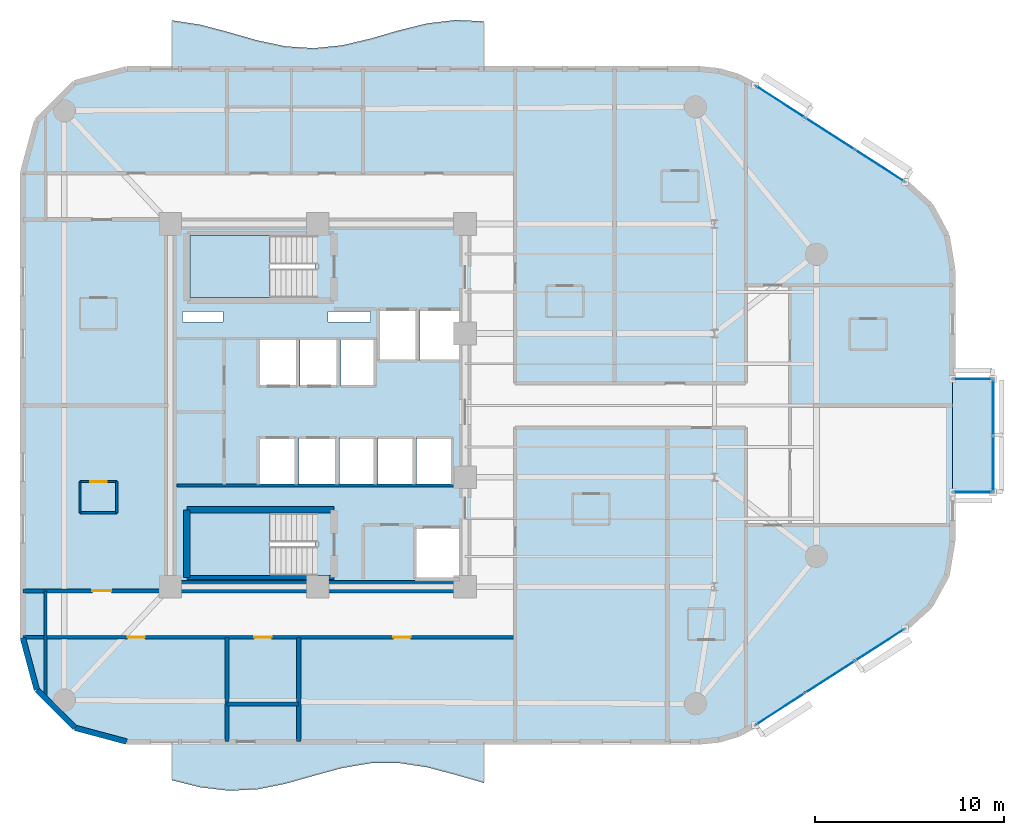
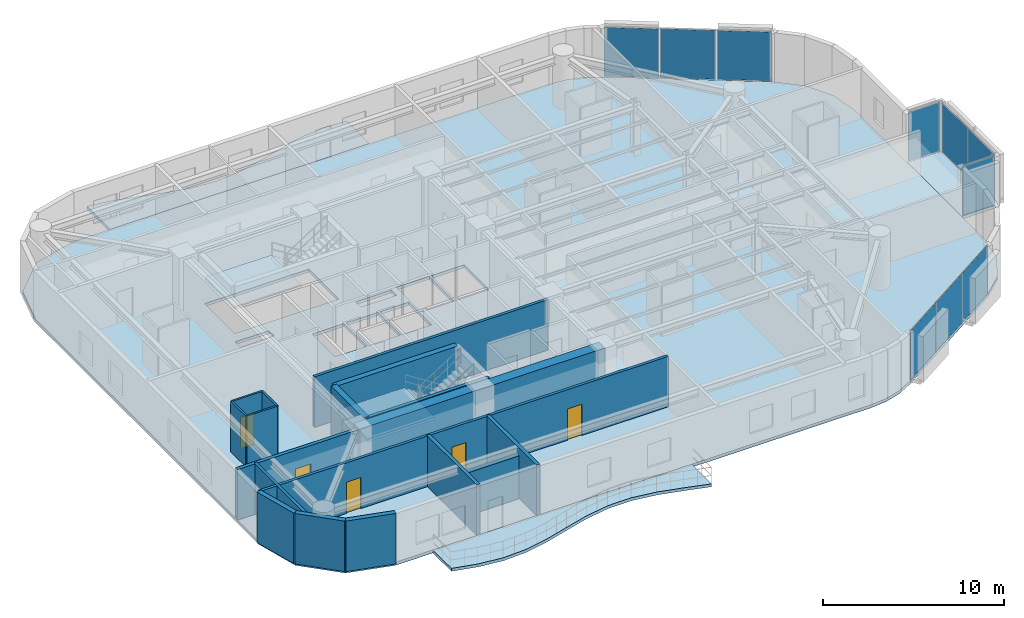
# One storey, part 10 of 16: 18 walls, 10 plates, 6 slabs, 5 doors, 5 openings, 7 elements without a shape of their own.
"""IFC4 building model written with IfcOpenShell, lengths in metres."""

from ifc_helpers import new_model, si_unit, direction, frame, frame_2d, origin, origin_2d, place, context, subcontext, project, spatial, polyline, rectangle, outline, extrude, material, layer, layer_set, type_object, element, fill, aggregate, save


model = new_model("IFC4")

# Units and contexts
model_context = context("Model", 3, precision=1e-05, world=origin(), true_north=direction((0.0, 1.0)))
body_context = subcontext(model_context, "Body", "Model", "MODEL_VIEW")
ifc_project = project(units=[si_unit("LENGTHUNIT", "METRE"), si_unit("AREAUNIT", "SQUARE_METRE"), si_unit("VOLUMEUNIT", "CUBIC_METRE"), si_unit("PLANEANGLEUNIT", "RADIAN"), si_unit("MASSUNIT", "GRAM", prefix="KILO")], contexts=[model_context])

# Site, building, storey
site_placement = place(None, origin())
site = spatial("IfcSite", under=ifc_project, at=site_placement, CompositionType="ELEMENT")
building_placement = place(site_placement, origin())
building = spatial("IfcBuilding", under=site, at=building_placement, Name="An Khanh Terracotta Commons", CompositionType="ELEMENT")
storey_placement = place(building_placement, frame((0.0, 0.0, 151.0)))
storey = spatial("IfcBuildingStorey", under=building, at=storey_placement, Name="L39", CompositionType="ELEMENT", Elevation=151.0)

# Curtain wall, plates
ifc_material_1 = material(Name="Anodised Aluminium 6063-T6", Category="aluminium")
ifc_layer_1 = layer(ifc_material_1, 0.2099609375, Name="Anodised Aluminium 6063-T6")
ifc_layer_set_1 = layer_set([ifc_layer_1], Name="Anodised Aluminium 6063-T6")
curtain_wall_type_1 = type_object("IfcCurtainWallType", Name="CW-SYS-03", PredefinedType="USERDEFINED", material=ifc_layer_set_1)
curtain_wall_1_placement = place(storey_placement, origin())
curtain_wall_1 = element("IfcCurtainWall", 1, at=curtain_wall_1_placement, inside=storey, type_object=curtain_wall_type_1, Name="L39 CW-03 Unitised Curtain Wall CW-L39-08", ObjectType="UNITISED CURTAIN WALL", PredefinedType="USERDEFINED")
ifc_material_2 = material(Name="Acoustic Laminated Low-E Glazing", Category="glass")
ifc_layer_2 = layer(ifc_material_2, 0.035888671875, Name="Acoustic Laminated Low-E Glazing")
ifc_layer_set_2 = layer_set([ifc_layer_2], Name="Acoustic Laminated Low-E Glazing")
plate_type_1 = type_object("IfcPlateType", Name="CWP-IGU-36", PredefinedType="CURTAIN_PANEL", material=ifc_layer_set_2)
plate_1_placement = place(storey_placement, frame((53.894287109375, 7.935546875, 0.0498046875), z_axis=(0.0, 0.0, 1.0), x_axis=(0.840702081986, 0.541497931062, 0.0)))
plate_1 = element("IfcPlate", 2, at=plate_1_placement, type_object=plate_type_1, Name="CW-03 panel 1.1", PredefinedType="CURTAIN_PANEL", context=body_context, shape_type="SweptSolid", body=[
    extrude(rectangle(XDim=3.034423828125, YDim=0.035888671875, at=origin_2d()), origin(), (0.0, 0.0, 1.0), 3.300048828125),
])
plate_2_placement = place(storey_placement, frame((56.51904296875, 9.6259765625, 0.0498046875), z_axis=(0.0, 0.0, 1.0), x_axis=(0.840702081986, 0.541497931062, 0.0)))
plate_2 = element("IfcPlate", 3, at=plate_2_placement, type_object=plate_type_1, Name="CW-03 panel 2.1", PredefinedType="CURTAIN_PANEL", context=body_context, shape_type="SweptSolid", body=[
    extrude(rectangle(XDim=3.0693359375, YDim=0.035888671875, at=origin_2d()), origin(), (0.0, 0.0, 1.0), 3.300048828125),
])
plate_3_placement = place(storey_placement, frame((59.1435546875, 11.31640625, 0.0498046875), z_axis=(0.0, 0.0, 1.0), x_axis=(0.840702081986, 0.541497931062, 0.0)))
plate_3 = element("IfcPlate", 4, at=plate_3_placement, type_object=plate_type_1, Name="CW-03 panel 3.1", PredefinedType="CURTAIN_PANEL", context=body_context, shape_type="SweptSolid", body=[
    extrude(rectangle(XDim=3.034423828125, YDim=0.035888671875, at=origin_2d()), origin(), (0.0, 0.0, 1.0), 3.300048828125),
])
aggregate(curtain_wall_1, [plate_1, plate_2, plate_3])

curtain_wall_2_placement = place(storey_placement, origin())
curtain_wall_2 = element("IfcCurtainWall", 5, at=curtain_wall_2_placement, inside=storey, type_object=curtain_wall_type_1, Name="L39 CW-03 Unitised Curtain Wall CW-L39-16", ObjectType="UNITISED CURTAIN WALL", PredefinedType="USERDEFINED")
plate_4_placement = place(storey_placement, frame((59.1435546875, 36.68359375, 0.0498046875), z_axis=(0.0, 0.0, 1.0), x_axis=(-0.840702081986, 0.541497931062, 0.0)))
plate_4 = element("IfcPlate", 6, at=plate_4_placement, type_object=plate_type_1, Name="CW-03 panel 1.1", PredefinedType="CURTAIN_PANEL", context=body_context, shape_type="SweptSolid", body=[
    extrude(rectangle(XDim=3.034423828125, YDim=0.035888671875, at=origin_2d()), origin(), (0.0, 0.0, 1.0), 3.300048828125),
])
plate_5_placement = place(storey_placement, frame((56.51904296875, 38.3740234375, 0.0498046875), z_axis=(0.0, 0.0, 1.0), x_axis=(-0.840702081986, 0.541497931062, 0.0)))
plate_5 = element("IfcPlate", 7, at=plate_5_placement, type_object=plate_type_1, Name="CW-03 panel 2.1", PredefinedType="CURTAIN_PANEL", context=body_context, shape_type="SweptSolid", body=[
    extrude(rectangle(XDim=3.0693359375, YDim=0.035888671875, at=origin_2d()), origin(), (0.0, 0.0, 1.0), 3.300048828125),
])
plate_6_placement = place(storey_placement, frame((53.894287109375, 40.064453125, 0.0498046875), z_axis=(0.0, 0.0, 1.0), x_axis=(-0.840702081986, 0.541497931062, 0.0)))
plate_6 = element("IfcPlate", 8, at=plate_6_placement, type_object=plate_type_1, Name="CW-03 panel 3.1", PredefinedType="CURTAIN_PANEL", context=body_context, shape_type="SweptSolid", body=[
    extrude(rectangle(XDim=3.034423828125, YDim=0.035888671875, at=origin_2d()), origin(), (0.0, 0.0, 1.0), 3.300048828125),
])
aggregate(curtain_wall_2, [plate_4, plate_5, plate_6])

ifc_layer_3 = layer(ifc_material_1, 0.239990234375, Name="Anodised Aluminium 6063-T6")
ifc_layer_set_3 = layer_set([ifc_layer_3], Name="Anodised Aluminium 6063-T6")
curtain_wall_type_2 = type_object("IfcCurtainWallType", Name="CW-SYS-04", PredefinedType="USERDEFINED", material=ifc_layer_set_3)
curtain_wall_3_placement = place(storey_placement, origin())
curtain_wall_3 = element("IfcCurtainWall", 9, at=curtain_wall_3_placement, inside=storey, type_object=curtain_wall_type_2, Name="L39 CW-04 Unitised Curtain Wall CW-L39-EBOX-1", ObjectType="UNITISED CURTAIN WALL", PredefinedType="USERDEFINED")
ifc_material_3 = material(Name="Triple-Silver Sky-Lobby Glazing", Category="glass")
ifc_layer_4 = layer(ifc_material_3, 0.0400390625, Name="Triple-Silver Sky-Lobby Glazing")
ifc_layer_set_4 = layer_set([ifc_layer_4], Name="Triple-Silver Sky-Lobby Glazing")
plate_type_2 = type_object("IfcPlateType", Name="CWP-IGU-40", PredefinedType="CURTAIN_PANEL", material=ifc_layer_set_4)
plate_7_placement = place(storey_placement, frame((65.14990234375, 20.916259765625, 0.06005859375), z_axis=(0.0, 0.0, 1.0), x_axis=(0.0, 1.0, 0.0)))
plate_7 = element("IfcPlate", 10, at=plate_7_placement, type_object=plate_type_2, Name="CW-04 panel 1.1", PredefinedType="CURTAIN_PANEL", context=body_context, shape_type="SweptSolid", body=[
    extrude(rectangle(XDim=2.902587890625, YDim=0.0400390625, at=origin_2d()), origin(), (0.0, 0.0, 1.0), 3.280029296875),
])
plate_8_placement = place(storey_placement, frame((65.14990234375, 23.8837890625, 0.06005859375), z_axis=(0.0, 0.0, 1.0), x_axis=(0.0, 1.0, 0.0)))
plate_8 = element("IfcPlate", 11, at=plate_8_placement, type_object=plate_type_2, Name="CW-04 panel 2.1", PredefinedType="CURTAIN_PANEL", context=body_context, shape_type="SweptSolid", body=[
    extrude(rectangle(XDim=2.902587890625, YDim=0.0400390625, at=origin_2d()), origin(), (0.0, 0.0, 1.0), 3.280029296875),
])
aggregate(curtain_wall_3, [plate_7, plate_8])

# Curtain wall, plate
curtain_wall_4_placement = place(storey_placement, origin())
curtain_wall_4 = element("IfcCurtainWall", 12, at=curtain_wall_4_placement, inside=storey, type_object=curtain_wall_type_2, Name="L39 CW-04 Unitised Curtain Wall CW-L39-EBOX-2", ObjectType="UNITISED CURTAIN WALL", PredefinedType="USERDEFINED")
plate_9_placement = place(storey_placement, frame((64.074951171875, 19.39990234375, 0.06005859375), z_axis=(0.0, 0.0, 1.0), x_axis=(1.0, 0.0, 0.0)))
plate_9 = element("IfcPlate", 13, at=plate_9_placement, type_object=plate_type_2, Name="CW-04 panel 1.1", PredefinedType="CURTAIN_PANEL", context=body_context, shape_type="SweptSolid", body=[
    extrude(rectangle(XDim=2.02001953125, YDim=0.0400390625, at=origin_2d()), origin(), (0.0, 0.0, 1.0), 3.280029296875),
])
aggregate(curtain_wall_4, [plate_9])

curtain_wall_5_placement = place(storey_placement, origin())
curtain_wall_5 = element("IfcCurtainWall", 14, at=curtain_wall_5_placement, inside=storey, type_object=curtain_wall_type_2, Name="L39 CW-04 Unitised Curtain Wall CW-L39-EBOX-3", ObjectType="UNITISED CURTAIN WALL", PredefinedType="USERDEFINED")
plate_10_placement = place(storey_placement, frame((64.074951171875, 25.39990234375, 0.06005859375), z_axis=(0.0, 0.0, 1.0), x_axis=(-1.0, 0.0, 0.0)))
plate_10 = element("IfcPlate", 15, at=plate_10_placement, type_object=plate_type_2, Name="CW-04 panel 1.1", PredefinedType="CURTAIN_PANEL", context=body_context, shape_type="SweptSolid", body=[
    extrude(rectangle(XDim=2.02001953125, YDim=0.0400390625, at=origin_2d()), origin(), (0.0, 0.0, 1.0), 3.280029296875),
])
aggregate(curtain_wall_5, [plate_10])

# Slabs
ifc_material_4 = material(Name="Concrete C40/50", Category="concrete")
ifc_layer_5 = layer(ifc_material_4, 0.199951171875, Name="Concrete C40/50")
ifc_layer_set_5 = layer_set([ifc_layer_5], Name="Concrete C40/50")
slab_type_1 = type_object("IfcSlabType", Name="SLAB-BALC-200", PredefinedType="FLOOR", material=ifc_layer_set_5)
slab_1_placement = place(storey_placement, frame((0.0, 0.0, -0.199951171875)))
element("IfcSlab", 16, at=slab_1_placement, inside=storey, type_object=slab_type_1, Name="L39 S Sinusoidal Wave Balcony Slab", PredefinedType="FLOOR", context=body_context, shape_type="SweptSolid", body=[
    extrude(outline(polyline([(21.699951171875, 6.199951171875), (21.699951171875, 4.156005859375), (23.199951171875, 3.785888671875), (24.699951171875, 3.60595703125), (26.199951171875, 3.677001953125), (27.699951171875, 3.97509765625), (29.199951171875, 4.39892578125), (30.699951171875, 4.806884765625), (32.199951171875, 5.06005859375), (33.699951171875, 5.073974609375), (35.199951171875, 4.844970703125), (36.699951171875, 4.447998046875), (38.199951171875, 4.01806640625), (38.199951171875, 6.199951171875), (21.699951171875, 6.199951171875)])), origin(), (0.0, 0.0, 1.0), 0.199951171875),
])
slab_2_placement = place(storey_placement, frame((0.0, 0.0, -0.199951171875)))
element("IfcSlab", 17, at=slab_2_placement, inside=storey, type_object=slab_type_1, Name="L39 N Sinusoidal Wave Balcony Slab", PredefinedType="FLOOR", context=body_context, shape_type="SweptSolid", body=[
    extrude(outline(polyline([(38.199951171875, 41.800048828125), (38.199951171875, 44.322998046875), (36.699951171875, 44.39404296875), (35.199951171875, 44.214111328125), (33.699951171875, 43.843994140625), (32.199951171875, 43.408935546875), (30.699951171875, 43.054931640625), (29.199951171875, 42.902099609375), (27.699951171875, 43.0), (26.199951171875, 43.318115234375), (24.699951171875, 43.748046875), (23.199951171875, 44.14501953125), (21.699951171875, 44.3740234375), (21.699951171875, 41.800048828125), (38.199951171875, 41.800048828125)])), origin(), (0.0, 0.0, 1.0), 0.199951171875),
])

# Stair, slab
ifc_material_5 = material(Name="Precast concrete C40/50", Category="concrete")
stair_type = type_object("IfcStairType", Name="STAIR-CORE-1550", PredefinedType="HALF_TURN_STAIR", material=ifc_material_5)
stair_1_placement = place(storey_placement, origin())
stair_1 = element("IfcStair", 18, at=stair_1_placement, inside=storey, type_object=stair_type, Name="L39 Core Smokeproof Exit Stair ST-01", PredefinedType="HALF_TURN_STAIR")
ifc_layer_6 = layer(ifc_material_4, 0.18994140625, Name="Concrete C40/50")
ifc_layer_set_6 = layer_set([ifc_layer_6], Name="Concrete C40/50")
slab_type_2 = type_object("IfcSlabType", Name="SLAB-LANDING-190", PredefinedType="LANDING", material=ifc_layer_set_6)
slab_3_placement = place(storey_placement, frame((0.0, 0.0, 1.60009765625)))
slab_3 = element("IfcSlab", 19, at=slab_3_placement, type_object=slab_type_2, Name="ST-01 landing 1", PredefinedType="LANDING", context=body_context, shape_type="SweptSolid", body=[
    extrude(outline(polyline([(26.889892578125, 33.0), (22.64990234375, 33.0), (22.64990234375, 29.699951171875), (26.889892578125, 29.699951171875), (26.889892578125, 33.0)])), origin(), (0.0, 0.0, 1.0), 0.199951171875),
])
aggregate(stair_1, [slab_3])

stair_2_placement = place(storey_placement, origin())
stair_2 = element("IfcStair", 20, at=stair_2_placement, inside=storey, type_object=stair_type, Name="L39 Core Smokeproof Exit Stair ST-02", PredefinedType="HALF_TURN_STAIR")
slab_4_placement = place(storey_placement, frame((0.0, 0.0, 1.60009765625)))
slab_4 = element("IfcSlab", 21, at=slab_4_placement, type_object=slab_type_2, Name="ST-02 landing 1", PredefinedType="LANDING", context=body_context, shape_type="SweptSolid", body=[
    extrude(outline(polyline([(26.889892578125, 18.300048828125), (22.64990234375, 18.300048828125), (22.64990234375, 15.0), (26.889892578125, 15.0), (26.889892578125, 18.300048828125)])), origin(), (0.0, 0.0, 1.0), 0.199951171875),
])
aggregate(stair_2, [slab_4])

# Slabs
ifc_layer_7 = layer(ifc_material_4, 0.199951171875, Name="Concrete C40/50")
ifc_layer_set_7 = layer_set([ifc_layer_7], Name="Concrete C40/50")
slab_type_3 = type_object("IfcSlabType", Name="SLAB-TYP-200", PredefinedType="FLOOR", material=ifc_layer_set_7)
slab_5_placement = place(storey_placement, frame((0.0, 0.0, -0.199951171875)))
element("IfcSlab", 22, at=slab_5_placement, inside=storey, type_object=slab_type_3, Name="L39 Structural Floor Slab", PredefinedType="FLOOR", context=body_context, shape_type="SweptSolid", body=[
    extrude(outline(polyline([(13.800048828125, 11.699951171875), (14.537109375, 8.949951171875), (16.550048828125, 6.93701171875), (19.300048828125, 6.199951171875), (49.58203125, 6.199951171875), (50.625, 6.300048828125), (51.6298828125, 6.594970703125), (52.56005859375, 7.075927734375), (60.47802734375, 12.176025390625), (61.825927734375, 13.403076171875), (62.697998046875, 15.0029296875), (63.0, 16.800048828125), (63.0, 31.199951171875), (62.697998046875, 32.9970703125), (61.825927734375, 34.596923828125), (60.47802734375, 35.823974609375), (52.56005859375, 40.924072265625), (51.6298828125, 41.405029296875), (50.625, 41.699951171875), (49.58203125, 41.800048828125), (19.300048828125, 41.800048828125), (16.550048828125, 41.06298828125), (14.537109375, 39.050048828125), (13.800048828125, 36.300048828125), (13.800048828125, 11.699951171875)]), holes=[polyline([(22.64990234375, 29.699951171875), (29.27001953125, 29.699951171875), (29.27001953125, 33.0), (22.64990234375, 33.0), (22.64990234375, 29.699951171875)]), polyline([(22.64990234375, 15.0), (29.27001953125, 15.0), (29.27001953125, 18.300048828125), (22.64990234375, 18.300048828125), (22.64990234375, 15.0)]), polyline([(32.60009765625, 26.35009765625), (34.679931640625, 26.35009765625), (34.679931640625, 29.080078125), (32.60009765625, 29.080078125), (32.60009765625, 26.35009765625)]), polyline([(34.820068359375, 26.35009765625), (36.89990234375, 26.35009765625), (36.89990234375, 29.080078125), (34.820068359375, 29.080078125), (34.820068359375, 26.35009765625)]), polyline([(34.550048828125, 14.800048828125), (36.89990234375, 14.800048828125), (36.89990234375, 17.550048828125), (34.550048828125, 17.550048828125), (34.550048828125, 14.800048828125)]), polyline([(26.320068359375, 25.0), (28.340087890625, 25.0), (28.340087890625, 27.5), (26.320068359375, 27.5), (26.320068359375, 25.0)]), polyline([(28.47998046875, 25.0), (30.5, 25.0), (30.5, 27.5), (28.47998046875, 27.5), (28.47998046875, 25.0)]), polyline([(26.280029296875, 19.800048828125), (28.280029296875, 19.800048828125), (28.280029296875, 22.300048828125), (26.280029296875, 22.300048828125), (26.280029296875, 19.800048828125)]), polyline([(28.419921875, 19.800048828125), (30.419921875, 19.800048828125), (30.419921875, 22.300048828125), (28.419921875, 22.300048828125), (28.419921875, 19.800048828125)]), polyline([(30.639892578125, 25.0), (32.4599609375, 25.0), (32.4599609375, 27.5), (30.639892578125, 27.5), (30.639892578125, 25.0)]), polyline([(30.56005859375, 19.800048828125), (32.4599609375, 19.800048828125), (32.4599609375, 22.300048828125), (30.56005859375, 22.300048828125), (30.56005859375, 19.800048828125)]), polyline([(32.60009765625, 19.800048828125), (34.5, 19.800048828125), (34.5, 22.300048828125), (32.60009765625, 22.300048828125), (32.60009765625, 19.800048828125)]), polyline([(34.639892578125, 19.800048828125), (36.5400390625, 19.800048828125), (36.5400390625, 22.300048828125), (34.639892578125, 22.300048828125), (34.639892578125, 19.800048828125)]), polyline([(22.25, 28.419921875), (24.39990234375, 28.419921875), (24.39990234375, 28.97998046875), (22.25, 28.97998046875), (22.25, 28.419921875)]), polyline([(29.949951171875, 28.419921875), (32.199951171875, 28.419921875), (32.199951171875, 28.97998046875), (29.949951171875, 28.97998046875), (29.949951171875, 28.419921875)])]), origin(), (0.0, 0.0, 1.0), 0.199951171875),
])
slab_6_placement = place(storey_placement, frame((0.0, 0.0, -0.199951171875)))
element("IfcSlab", 23, at=slab_6_placement, inside=storey, type_object=slab_type_3, Name="L39 Shifted Social Kitchen Box Floor Slab", PredefinedType="FLOOR", context=body_context, shape_type="SweptSolid", body=[
    extrude(outline(polyline([(63.0, 19.39990234375), (65.14990234375, 19.39990234375), (65.14990234375, 25.39990234375), (63.0, 25.39990234375), (63.0, 19.39990234375)])), origin(), (0.0, 0.0, 1.0), 0.199951171875),
])

# Walls
ifc_material_6 = material(Name="Concrete C60/75", Category="concrete")
ifc_layer_8 = layer(ifc_material_6, 0.64990234375, Name="Concrete C60/75")
ifc_layer_set_8 = layer_set([ifc_layer_8], Name="Concrete C60/75")
wall_type_1 = type_object("IfcWallType", Name="WALL-CORE-650", PredefinedType="SHEAR", material=ifc_layer_set_8)
wall_1_placement = place(storey_placement, frame((37.199951171875, 14.39990234375, 0.0), z_axis=(0.0, 0.0, 1.0), x_axis=(-1.0, 0.0, 0.0)))
element("IfcWall", 24, at=wall_1_placement, inside=storey, type_object=wall_type_1, Name="L39 Core Wall CWALL-L39-S", PredefinedType="SHEAR", context=body_context, shape_type="SweptSolid", body=[
    extrude(rectangle(XDim=15.599853515625, YDim=0.64990234375, at=frame_2d((7.7998046875, 0.0))), origin(), (0.0, 0.0, 1.0), 3.39990234375),
])
ifc_material_7 = material(Name="Fire-Rated Gypsum Board on Steel Stud", Category="steel")
ifc_layer_9 = layer(ifc_material_7, 0.179931640625, Name="Fire-Rated Gypsum Board on Steel Stud")
ifc_layer_set_9 = layer_set([ifc_layer_9], Name="Fire-Rated Gypsum Board on Steel Stud")
wall_type_2 = type_object("IfcWallType", Name="WALL-CORR-180", PredefinedType="PARTITIONING", material=ifc_layer_set_9)
wall_2_placement = place(storey_placement, frame((21.949951171875, 19.760009765625, 0.0), z_axis=(0.0, 0.0, 1.0), x_axis=(1.0, 0.0, 0.0)))
element("IfcWall", 25, at=wall_2_placement, inside=storey, type_object=wall_type_2, Name="L39 Core Wall SVW-L39-N", PredefinedType="PARTITIONING", context=body_context, shape_type="SweptSolid", body=[
    extrude(rectangle(XDim=14.8701171875, YDim=0.179931640625, at=frame_2d((7.43505859375, 0.0))), origin(), (0.0, 0.0, 1.0), 3.39990234375),
])

# Wall, openings, doors
wall_3_placement = place(storey_placement, frame((13.800048828125, 11.719970703125, 0.0), z_axis=(0.0, 0.0, 1.0), x_axis=(1.0, 0.0, 0.0)))
wall_3 = element("IfcWall", 26, at=wall_3_placement, inside=storey, type_object=wall_type_2, Name="L39 Interior Partition IW-L39-E002", PredefinedType="PARTITIONING", context=body_context, shape_type="SweptSolid", body=[
    extrude(rectangle(XDim=26.050048828125, YDim=0.179931640625, at=frame_2d((13.02490234375, 0.0))), origin(), (0.0, 0.0, 1.0), 3.39990234375),
])
opening_1_placement = place(wall_3_placement, frame((12.239990234375, 0.0, 0.0)))
opening_1 = element("IfcOpeningElement", 27, at=opening_1_placement, cuts=wall_3, Name="Opening D-RM", PredefinedType="OPENING", context=body_context, shape_type="SweptSolid", body=[
    extrude(rectangle(XDim=0.919921875, YDim=2.10009765625, at=frame_2d((0.4599609375, 1.050048828125))), frame((0.0, 0.099853515625, 0.0), z_axis=(0.0, -1.0, 0.0), x_axis=(1.0, 0.0, 0.0)), (0.0, 0.0, 1.0), 0.199951171875),
])
opening_2_placement = place(wall_3_placement, frame((5.5400390625, 0.0, 0.0)))
opening_2 = element("IfcOpeningElement", 28, at=opening_2_placement, cuts=wall_3, Name="Opening D-RM", PredefinedType="OPENING", context=body_context, shape_type="SweptSolid", body=[
    extrude(rectangle(XDim=0.919921875, YDim=2.10009765625, at=frame_2d((0.4599609375, 1.050048828125))), frame((0.0, 0.099853515625, 0.0), z_axis=(0.0, -1.0, 0.0), x_axis=(1.0, 0.0, 0.0)), (0.0, 0.0, 1.0), 0.199951171875),
])
opening_3_placement = place(wall_3_placement, frame((19.60498046875, 0.0, 0.0)))
opening_3 = element("IfcOpeningElement", 29, at=opening_3_placement, cuts=wall_3, Name="Opening D-RM", PredefinedType="OPENING", context=body_context, shape_type="SweptSolid", body=[
    extrude(rectangle(XDim=0.919921875, YDim=2.10009765625, at=frame_2d((0.4599609375, 1.050048828125))), frame((0.0, 0.099853515625, 0.0), z_axis=(0.0, -1.0, 0.0), x_axis=(1.0, 0.0, 0.0)), (0.0, 0.0, 1.0), 0.199951171875),
])
ifc_material_8 = material(Name="Engineered Hardwood Timber Leaf", Category="wood")
door_type_1 = type_object("IfcDoorType", Name="DOOR-INT-920", OperationType="NOTDEFINED", PredefinedType="DOOR", material=ifc_material_8)
door_1_placement = place(opening_1_placement, origin())
door_1 = element("IfcDoor", 30, at=door_1_placement, inside=storey, type_object=door_type_1, Name="L39 HKP Housekeeping Linen Store Door", OperationType="SINGLE_SWING_LEFT", OverallHeight=2.10009765625, OverallWidth=0.919921875, PredefinedType="DOOR", context=body_context, shape_type="SweptSolid", body=[
    extrude(rectangle(XDim=0.919921875, YDim=2.10009765625, at=frame_2d((0.4599609375, 1.050048828125))), frame((0.0, 0.02490234375, 0.0), z_axis=(0.0, -1.0, 0.0), x_axis=(1.0, 0.0, 0.0)), (0.0, 0.0, 1.0), 0.050048828125),
])
fill(opening_1, door_1)
door_2_placement = place(opening_2_placement, origin())
door_2 = element("IfcDoor", 31, at=door_2_placement, inside=storey, type_object=door_type_1, Name="L39 SW1 Co-Living Master Bedroom Door", OperationType="SINGLE_SWING_RIGHT", OverallHeight=2.10009765625, OverallWidth=0.919921875, PredefinedType="DOOR", context=body_context, shape_type="SweptSolid", body=[
    extrude(rectangle(XDim=0.919921875, YDim=2.10009765625, at=frame_2d((0.4599609375, 1.050048828125))), frame((0.0, 0.02490234375, 0.0), z_axis=(0.0, -1.0, 0.0), x_axis=(1.0, 0.0, 0.0)), (0.0, 0.0, 1.0), 0.050048828125),
])
fill(opening_2, door_2)
door_3_placement = place(opening_3_placement, origin())
door_3 = element("IfcDoor", 32, at=door_3_placement, inside=storey, type_object=door_type_1, Name="L39 SWE Communal Kitchen and Dining Door", OperationType="SINGLE_SWING_LEFT", OverallHeight=2.10009765625, OverallWidth=0.919921875, PredefinedType="DOOR", context=body_context, shape_type="SweptSolid", body=[
    extrude(rectangle(XDim=0.919921875, YDim=2.10009765625, at=frame_2d((0.4599609375, 1.050048828125))), frame((0.0, 0.02490234375, 0.0), z_axis=(0.0, -1.0, 0.0), x_axis=(1.0, 0.0, 0.0)), (0.0, 0.0, 1.0), 0.050048828125),
])
fill(opening_3, door_3)

# Walls
wall_4_placement = place(storey_placement, frame((15.0, 8.487060546875, 0.0), z_axis=(0.0, 0.0, 1.0), x_axis=(0.0, 1.0, 0.0)))
element("IfcWall", 33, at=wall_4_placement, inside=storey, type_object=wall_type_2, Name="L39 Interior Partition IW-L39-E013", PredefinedType="PARTITIONING", context=body_context, shape_type="SweptSolid", body=[
    extrude(rectangle(XDim=5.69287109375, YDim=0.179931640625, at=frame_2d((2.846435546875, 0.0))), origin(), (0.0, 0.0, 1.0), 3.39990234375),
])
ifc_layer_10 = layer(ifc_material_5, 0.300048828125, Name="Precast concrete C40/50")
ifc_layer_set_10 = layer_set([ifc_layer_10], Name="Precast concrete C40/50")
wall_type_3 = type_object("IfcWallType", Name="WALL-EXT-300", PredefinedType="SOLIDWALL", material=ifc_layer_set_10)
wall_5_placement = place(storey_placement, frame((13.800048828125, 11.699951171875, 0.0), z_axis=(0.0, 0.0, 1.0), x_axis=(0.258884674387, -0.965908238586, 0.0)))
element("IfcWall", 34, at=wall_5_placement, inside=storey, type_object=wall_type_3, Name="L39 Insulated Terracotta Exterior Wall 1", PredefinedType="SOLIDWALL", context=body_context, shape_type="SweptSolid", body=[
    extrude(rectangle(XDim=2.84716796875, YDim=0.300048828125, at=frame_2d((1.423583984375, 0.0))), origin(), (0.0, 0.0, 1.0), 3.39990234375),
])
wall_6_placement = place(storey_placement, frame((14.537109375, 8.949951171875, 0.0), z_axis=(0.0, 0.0, 1.0), x_axis=(0.707106781187, -0.707106781187, 0.0)))
element("IfcWall", 35, at=wall_6_placement, inside=storey, type_object=wall_type_3, Name="L39 Insulated Terracotta Exterior Wall 2", PredefinedType="SOLIDWALL", context=body_context, shape_type="SweptSolid", body=[
    extrude(rectangle(XDim=2.8466796875, YDim=0.300048828125, at=frame_2d((1.42333984375, 0.0))), origin(), (0.0, 0.0, 1.0), 3.39990234375),
])
wall_7_placement = place(storey_placement, frame((16.550048828125, 6.93701171875, 0.0), z_axis=(0.0, 0.0, 1.0), x_axis=(0.965908238586, -0.258884674387, 0.0)))
element("IfcWall", 36, at=wall_7_placement, inside=storey, type_object=wall_type_3, Name="L39 Insulated Terracotta Exterior Wall 3", PredefinedType="SOLIDWALL", context=body_context, shape_type="SweptSolid", body=[
    extrude(rectangle(XDim=2.84716796875, YDim=0.300048828125, at=frame_2d((1.423583984375, 0.0))), origin(), (0.0, 0.0, 1.0), 3.39990234375),
])
ifc_material_9 = material(Name="Acoustic Double-Stud Gypsum and Mineral Wool")
ifc_layer_11 = layer(ifc_material_9, 0.219970703125, Name="Acoustic Double-Stud Gypsum and Mineral Wool")
ifc_layer_set_11 = layer_set([ifc_layer_11], Name="Acoustic Double-Stud Gypsum and Mineral Wool")
wall_type_4 = type_object("IfcWallType", Name="WALL-PARTY-220", PredefinedType="PARTITIONING", material=ifc_layer_set_11)
wall_8_placement = place(storey_placement, frame((22.47998046875, 14.889892578125, 0.0), z_axis=(0.0, 0.0, 1.0), x_axis=(1.0, 0.0, 0.0)))
element("IfcWall", 37, at=wall_8_placement, inside=storey, type_object=wall_type_4, Name="L39 Core Wall STW-L39-S-S", PredefinedType="PARTITIONING", context=body_context, shape_type="SweptSolid", body=[
    extrude(rectangle(XDim=7.7900390625, YDim=0.219970703125, at=frame_2d((3.89501953125, 0.0))), origin(), (0.0, 0.0, 1.0), 3.39990234375),
])
wall_9_placement = place(storey_placement, frame((24.60009765625, 8.199951171875, 0.0), z_axis=(0.0, 0.0, 1.0), x_axis=(1.0, 0.0, 0.0)))
element("IfcWall", 38, at=wall_9_placement, inside=storey, type_object=wall_type_4, Name="L39 Interior Partition IW-L39-E001", PredefinedType="PARTITIONING", context=body_context, shape_type="SweptSolid", body=[
    extrude(rectangle(XDim=3.7998046875, YDim=0.219970703125, at=frame_2d((1.89990234375, 0.0))), origin(), (0.0, 0.0, 1.0), 2.882080078125),
])

# Wall, opening, door
wall_10_placement = place(storey_placement, frame((13.800048828125, 14.179931640625, 0.0), z_axis=(0.0, 0.0, 1.0), x_axis=(1.0, 0.0, 0.0)))
wall_10 = element("IfcWall", 39, at=wall_10_placement, inside=storey, type_object=wall_type_4, Name="L39 Interior Partition IW-L39-E003", PredefinedType="PARTITIONING", context=body_context, shape_type="SweptSolid", body=[
    extrude(rectangle(XDim=7.679931640625, YDim=0.219970703125, at=frame_2d((3.83984375, 0.0))), origin(), (0.0, 0.0, 1.0), 3.39990234375),
])
opening_4_placement = place(wall_10_placement, frame((3.679931640625, 0.0, 0.0)))
opening_4 = element("IfcOpeningElement", 40, at=opening_4_placement, cuts=wall_10, Name="Opening D-UN", PredefinedType="OPENING", context=body_context, shape_type="SweptSolid", body=[
    extrude(rectangle(XDim=1.0, YDim=2.14990234375, at=frame_2d((0.5, 1.074951171875))), frame((0.0, 0.119873046875, 0.0), z_axis=(0.0, -1.0, 0.0), x_axis=(1.0, 0.0, 0.0)), (0.0, 0.0, 1.0), 0.239990234375),
])
ifc_material_10 = material(Name="Solid-Core Hardwood Acoustic Fire Door", Category="wood")
door_type_2 = type_object("IfcDoorType", Name="DOOR-UNIT-1000", OperationType="NOTDEFINED", PredefinedType="DOOR", material=ifc_material_10)
door_4_placement = place(opening_4_placement, origin())
door_4 = element("IfcDoor", 41, at=door_4_placement, inside=storey, type_object=door_type_2, Name="L39 WW1 Kitchenette and Studio Apartment Door", OperationType="SINGLE_SWING_RIGHT", OverallHeight=2.14990234375, OverallWidth=1.0, PredefinedType="DOOR", context=body_context, shape_type="SweptSolid", body=[
    extrude(rectangle(XDim=1.0, YDim=2.14990234375, at=frame_2d((0.5, 1.074951171875))), frame((0.0, 0.02490234375, 0.0), z_axis=(0.0, -1.0, 0.0), x_axis=(1.0, 0.0, 0.0)), (0.0, 0.0, 1.0), 0.050048828125),
])
fill(opening_4, door_4)

# Walls
for number, where, z_axis, x_axis, name in (
    (42, (24.60009765625, 6.199951171875, 0.0), (0.0, 0.0, 1.0), (0.0, 1.0, 0.0), "L39 Interior Partition IW-L39-E015"),
    (43, (28.39990234375, 6.199951171875, 0.0), (0.0, 0.0, 1.0), (0.0, 1.0, 0.0), "L39 Interior Partition IW-L39-E018"),
):
    element("IfcWall", number, at=place(storey_placement, frame(where, z_axis=z_axis, x_axis=x_axis)), inside=storey, type_object=wall_type_4, Name=name, PredefinedType="PARTITIONING", context=body_context, shape_type="SweptSolid", body=[
        extrude(rectangle(XDim=5.52001953125, YDim=0.219970703125, at=frame_2d((2.760009765625, 0.0))), origin(), (0.0, 0.0, 1.0), 3.39990234375),
    ])
ifc_material_11 = material(Name="Concrete C50/60", Category="concrete")
ifc_layer_12 = layer(ifc_material_11, 0.35009765625, Name="Concrete C50/60")
ifc_layer_set_12 = layer_set([ifc_layer_12], Name="Concrete C50/60")
wall_type_5 = type_object("IfcWallType", Name="WALL-SHAFT-350", PredefinedType="SOLIDWALL", material=ifc_layer_set_12)
wall_11_placement = place(storey_placement, frame((22.47998046875, 18.469970703125, 0.0), z_axis=(0.0, 0.0, 1.0), x_axis=(1.0, 0.0, 0.0)))
element("IfcWall", 44, at=wall_11_placement, inside=storey, type_object=wall_type_5, Name="L39 Core Wall STW-L39-S-N", PredefinedType="SOLIDWALL", context=body_context, shape_type="SweptSolid", body=[
    extrude(rectangle(XDim=7.7900390625, YDim=0.35009765625, at=frame_2d((3.89501953125, 0.0))), origin(), (0.0, 0.0, 1.0), 3.39990234375),
])
wall_12_placement = place(storey_placement, frame((22.47998046875, 14.889892578125, 0.0), z_axis=(0.0, 0.0, 1.0), x_axis=(0.0, 1.0, 0.0)))
element("IfcWall", 45, at=wall_12_placement, inside=storey, type_object=wall_type_5, Name="L39 Core Wall STW-L39-S-W", PredefinedType="SOLIDWALL", context=body_context, shape_type="SweptSolid", body=[
    extrude(rectangle(XDim=3.580078125, YDim=0.35009765625, at=frame_2d((1.7900390625, 0.0))), origin(), (0.0, 0.0, 1.0), 3.39990234375),
])

# Wall, opening, door
ifc_material_12 = material(Name="Moisture-Resistant Cement Board Partition")
ifc_layer_13 = layer(ifc_material_12, 0.1201171875, Name="Moisture-Resistant Cement Board Partition")
ifc_layer_set_13 = layer_set([ifc_layer_13], Name="Moisture-Resistant Cement Board Partition")
wall_type_6 = type_object("IfcWallType", Name="WALL-WET-120", PredefinedType="PARTITIONING", material=ifc_layer_set_13)
wall_13_placement = place(storey_placement, frame((16.824951171875, 19.965087890625, 0.0), z_axis=(0.0, 0.0, 1.0), x_axis=(1.0, 0.0, 0.0)))
wall_13 = element("IfcWall", 46, at=wall_13_placement, inside=storey, type_object=wall_type_6, Name="L39 Interior Partition IW-L39-WW1-BN", PredefinedType="PARTITIONING", context=body_context, shape_type="SweptSolid", body=[
    extrude(rectangle(XDim=1.949951171875, YDim=0.1201171875, at=frame_2d((0.97509765625, 0.0))), origin(), (0.0, 0.0, 1.0), 3.39990234375),
])
opening_5_placement = place(wall_13_placement, frame((0.544921875, 0.0, 0.0)))
opening_5 = element("IfcOpeningElement", 47, at=opening_5_placement, cuts=wall_13, Name="Opening D-ENS", PredefinedType="OPENING", context=body_context, shape_type="SweptSolid", body=[
    extrude(rectangle(XDim=0.860107421875, YDim=2.10009765625, at=frame_2d((0.43017578125, 1.050048828125))), frame((0.0, 0.070068359375, 0.0), z_axis=(0.0, -1.0, 0.0), x_axis=(1.0, 0.0, 0.0)), (0.0, 0.0, 1.0), 0.14013671875),
])
ifc_material_13 = material(Name="Moisture-Resistant Hardwood Timber Leaf", Category="wood")
door_type_3 = type_object("IfcDoorType", Name="DOOR-BATH-860", OperationType="NOTDEFINED", PredefinedType="DOOR", material=ifc_material_13)
door_5_placement = place(opening_5_placement, origin())
door_5 = element("IfcDoor", 48, at=door_5_placement, inside=storey, type_object=door_type_3, Name="L39 Studio WW1 En-suite Door", OperationType="SINGLE_SWING_LEFT", OverallHeight=2.10009765625, OverallWidth=0.860107421875, PredefinedType="DOOR", context=body_context, shape_type="SweptSolid", body=[
    extrude(rectangle(XDim=0.860107421875, YDim=2.10009765625, at=frame_2d((0.43017578125, 1.050048828125))), frame((0.0, 0.02490234375, 0.0), z_axis=(0.0, -1.0, 0.0), x_axis=(1.0, 0.0, 0.0)), (0.0, 0.0, 1.0), 0.050048828125),
])
fill(opening_5, door_5)

# Walls
wall_14_placement = place(storey_placement, frame((18.77490234375, 18.31494140625, 0.0), z_axis=(0.0, 0.0, 1.0), x_axis=(-1.0, 0.0, 0.0)))
element("IfcWall", 49, at=wall_14_placement, inside=storey, type_object=wall_type_6, Name="L39 Interior Partition IW-L39-WW1-BS", PredefinedType="PARTITIONING", context=body_context, shape_type="SweptSolid", body=[
    extrude(rectangle(XDim=1.949951171875, YDim=0.1201171875, at=frame_2d((0.97509765625, 0.0))), origin(), (0.0, 0.0, 1.0), 3.39990234375),
])
for number, where, z_axis, x_axis, name in (
    (50, (16.824951171875, 19.965087890625, 0.0), (0.0, 0.0, 1.0), (0.0, -1.0, 0.0), "L39 Interior Partition IW-L39-WW1-BW"),
    (51, (18.77490234375, 18.31494140625, 0.0), (0.0, 0.0, 1.0), (0.0, 1.0, 0.0), "L39 Interior Partition IW-L39-WW1-BE"),
):
    element("IfcWall", number, at=place(storey_placement, frame(where, z_axis=z_axis, x_axis=x_axis)), inside=storey, type_object=wall_type_6, Name=name, PredefinedType="PARTITIONING", context=body_context, shape_type="SweptSolid", body=[
        extrude(rectangle(XDim=1.650146484375, YDim=0.1201171875, at=frame_2d((0.8251953125, 0.0))), origin(), (0.0, 0.0, 1.0), 3.39990234375),
    ])

save(model, "model.ifc")
